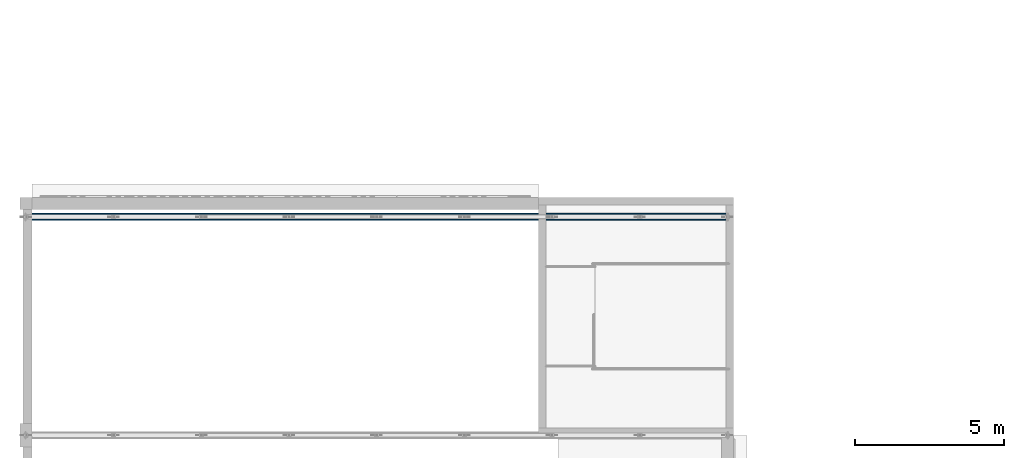
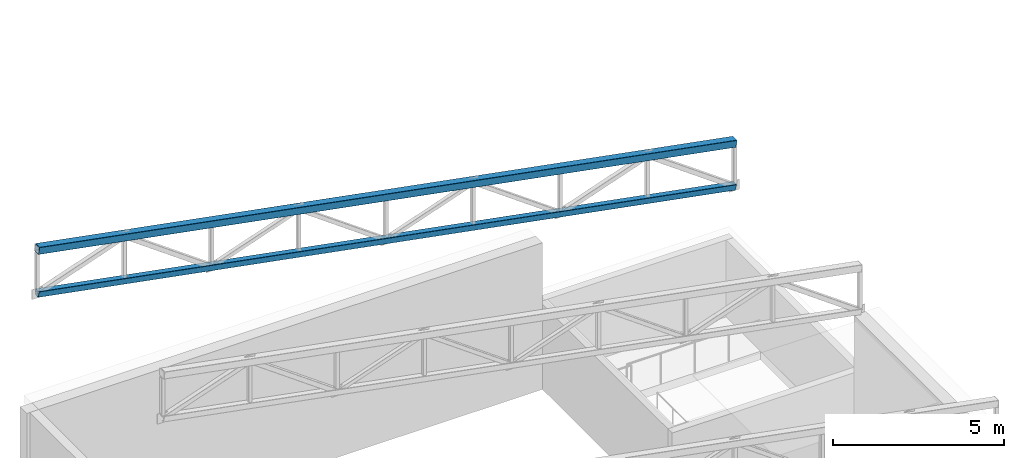
# One storey, part 46 of 125: 2 members.
"""IFC4 building model written with IfcOpenShell, lengths in metres."""

from ifc_helpers import new_model, si_unit, direction, frame, origin, origin_2d, place, context, subcontext, project, spatial, hollow_rectangle, extrude, material, material_profile, profile_set, type_object, element, save


model = new_model("IFC4")

# Units and contexts
model_context = context("Model", 3, precision=1e-05, world=origin(), true_north=direction((0.0, 1.0)))
body_context = subcontext(model_context, "Body", "Model", "MODEL_VIEW")
ifc_project = project(units=[si_unit("LENGTHUNIT", "METRE"), si_unit("AREAUNIT", "SQUARE_METRE"), si_unit("VOLUMEUNIT", "CUBIC_METRE"), si_unit("PLANEANGLEUNIT", "RADIAN"), si_unit("MASSUNIT", "GRAM", prefix="KILO")], contexts=[model_context])

# Site, building, storey
site_placement = place(None, origin())
site = spatial("IfcSite", under=ifc_project, at=site_placement, CompositionType="ELEMENT")
building_placement = place(site_placement, origin())
building = spatial("IfcBuilding", under=site, at=building_placement, Name="Sun Court Science Centre", CompositionType="ELEMENT")
storey_placement = place(building_placement, frame((0.0, 0.0, 6.0)))
storey = spatial("IfcBuildingStorey", under=building, at=storey_placement, Name="L01", CompositionType="ELEMENT", Elevation=6.0)

# Members
ifc_material_1 = material(Name="Steel S355", Category="steel")
ifc_material_profile_1 = material_profile(ifc_material_1, hollow_rectangle(XDim=0.199951171875, YDim=0.199951171875, WallThickness=0.010009765625, InnerFilletRadius=0.010009765625, OuterFilletRadius=0.014892578125, at=origin_2d()), Name="SHS 200x200x10")
ifc_profile_set_1 = profile_set([ifc_material_profile_1], Name="Steel S355")
member_type_1 = type_object("IfcMemberType", Name="Truss bottom chord SHS 200x200x10", PredefinedType="CHORD", material=ifc_profile_set_1)
member_1_placement = place(storey_placement, frame((0.199951171875, 71.35009765625, 9.342529296875), z_axis=(0.982871956721, 0.0, -0.184289762849), x_axis=(0.0, 1.0, 0.0)))
element("IfcMember", 1, at=member_1_placement, inside=storey, type_object=member_type_1, Name="Roof truss 4 bottom chord", PredefinedType="CHORD", context=body_context, shape_type="SweptSolid", body=[
    extrude(hollow_rectangle(XDim=0.199951171875, YDim=0.199951171875, WallThickness=0.010009765625, InnerFilletRadius=0.010009765625, OuterFilletRadius=0.014892578125, at=origin_2d()), origin(), (0.0, 0.0, 1.0), 24.011474609375),
])
ifc_material_2 = material(Name="Steel S355", Category="steel")
ifc_material_profile_2 = material_profile(ifc_material_2, hollow_rectangle(XDim=0.25, YDim=0.25, WallThickness=0.010009765625, InnerFilletRadius=0.010009765625, OuterFilletRadius=0.014892578125, at=origin_2d()), Name="SHS 250x250x10")
ifc_profile_set_2 = profile_set([ifc_material_profile_2], Name="Steel S355")
member_type_2 = type_object("IfcMemberType", Name="Truss top chord SHS 250x250x10", PredefinedType="CHORD", material=ifc_profile_set_2)
member_2_placement = place(storey_placement, frame((0.199951171875, 71.35009765625, 10.91748046875), z_axis=(0.982871956721, 0.0, -0.184289762849), x_axis=(0.0, 1.0, 0.0)))
element("IfcMember", 2, at=member_2_placement, inside=storey, type_object=member_type_2, Name="Roof truss 4 top chord", PredefinedType="CHORD", context=body_context, shape_type="SweptSolid", body=[
    extrude(hollow_rectangle(XDim=0.25, YDim=0.25, WallThickness=0.010009765625, InnerFilletRadius=0.010009765625, OuterFilletRadius=0.014892578125, at=origin_2d()), origin(), (0.0, 0.0, 1.0), 24.011474609375),
])

save(model, "model.ifc")
